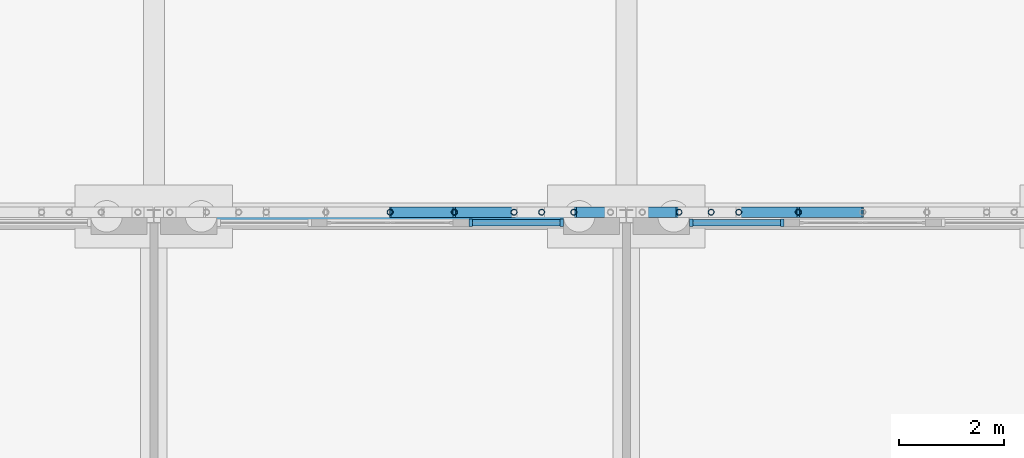
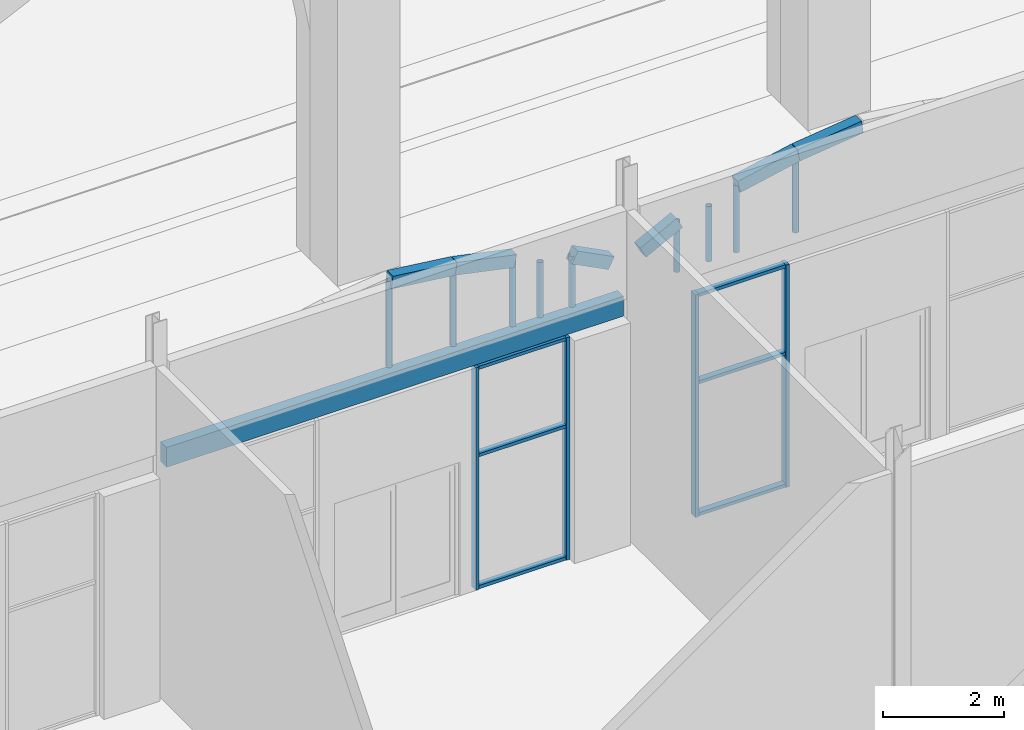
# One storey, part 58 of 250: 19 members, 7 beams, 2 elements without a shape of their own.
"""IFC4 building model written with IfcOpenShell, lengths in metres."""

from ifc_helpers import new_model, si_unit, direction, frame, origin, origin_2d, place, context, subcontext, project, spatial, rectangle, hollow_circle, extrude, material, material_profile, profile_set, type_object, element, aggregate, save


model = new_model("IFC4")

# Units and contexts
model_context = context("Model", 3, precision=1e-05, world=origin(), true_north=direction((0.0, 1.0)))
body_context = subcontext(model_context, "Body", "Model", "MODEL_VIEW")
ifc_project = project(units=[si_unit("LENGTHUNIT", "METRE"), si_unit("AREAUNIT", "SQUARE_METRE"), si_unit("VOLUMEUNIT", "CUBIC_METRE"), si_unit("PLANEANGLEUNIT", "RADIAN"), si_unit("MASSUNIT", "GRAM", prefix="KILO")], contexts=[model_context])

# Site, building, storey
site_placement = place(None, origin())
site = spatial("IfcSite", under=ifc_project, at=site_placement, CompositionType="ELEMENT")
building_placement = place(site_placement, origin())
building = spatial("IfcBuilding", under=site, at=building_placement, Name="Baradari Gate Terminus", CompositionType="ELEMENT")
storey_placement = place(building_placement, origin())
storey = spatial("IfcBuildingStorey", under=building, at=storey_placement, Name="L00", CompositionType="ELEMENT", Elevation=0.0)

# Members
ifc_material_1 = material(Name="Steel S355", Category="steel")
ifc_material_profile_1 = material_profile(ifc_material_1, hollow_circle(Radius=0.05712890625, WallThickness=0.00634765625, at=origin_2d()), Name="CHS 114.3x6.3")
ifc_profile_set_1 = profile_set([ifc_material_profile_1], Name="Steel S355")
member_type_1 = type_object("IfcMemberType", Name="Arcade arch post SP-2 114x6.3", PredefinedType="POST", material=ifc_profile_set_1)
member_1_placement = place(storey_placement, frame((202.5, 108.07861328125, 4.89990234375), z_axis=(0.0, 0.0, 1.0), x_axis=(1.0, 0.0, 0.0)))
element("IfcMember", 1, at=member_1_placement, inside=storey, type_object=member_type_1, Name="Arcade arch post 22.7", PredefinedType="POST", context=body_context, shape_type="SweptSolid", body=[
    extrude(hollow_circle(Radius=0.05712890625, WallThickness=0.00634765625, at=origin_2d()), origin(), (0.0, 0.0, 1.0), 1.7421875),
])
member_2_placement = place(storey_placement, frame((203.72412109375, 108.07861328125, 4.89990234375), z_axis=(0.0, 0.0, 1.0), x_axis=(1.0, 0.0, 0.0)))
element("IfcMember", 2, at=member_2_placement, inside=storey, type_object=member_type_1, Name="Arcade arch post 22.8", PredefinedType="POST", context=body_context, shape_type="SweptSolid", body=[
    extrude(hollow_circle(Radius=0.05712890625, WallThickness=0.00634765625, at=origin_2d()), origin(), (0.0, 0.0, 1.0), 1.593017578125),
])
member_3_placement = place(storey_placement, frame((204.86083984375, 108.07861328125, 4.89990234375), z_axis=(0.0, 0.0, 1.0), x_axis=(1.0, 0.0, 0.0)))
element("IfcMember", 3, at=member_3_placement, inside=storey, type_object=member_type_1, Name="Arcade arch post 22.9", PredefinedType="POST", context=body_context, shape_type="SweptSolid", body=[
    extrude(hollow_circle(Radius=0.05712890625, WallThickness=0.00634765625, at=origin_2d()), origin(), (0.0, 0.0, 1.0), 1.354248046875),
])
member_4_placement = place(storey_placement, frame((205.385498046875, 108.07861328125, 4.89990234375), z_axis=(0.0, 0.0, 1.0), x_axis=(1.0, 0.0, 0.0)))
element("IfcMember", 4, at=member_4_placement, inside=storey, type_object=member_type_1, Name="Arcade arch post 22.10", PredefinedType="POST", context=body_context, shape_type="SweptSolid", body=[
    extrude(hollow_circle(Radius=0.05712890625, WallThickness=0.00634765625, at=origin_2d()), origin(), (0.0, 0.0, 1.0), 1.115478515625),
])
for number, where, z_axis, x_axis, name in (
    (5, (205.99755859375, 108.07861328125, 4.89990234375), (0.0, 0.0, 1.0), (1.0, 0.0, 0.0), "Arcade arch post 22.11"),
    (6, (208.00244140625, 108.07861328125, 4.89990234375), (0.0, 0.0, 1.0), (1.0, 0.0, 0.0), "Arcade arch post 23.3"),
):
    element("IfcMember", number, at=place(storey_placement, frame(where, z_axis=z_axis, x_axis=x_axis)), inside=storey, type_object=member_type_1, Name=name, PredefinedType="POST", context=body_context, shape_type="SweptSolid", body=[
        extrude(hollow_circle(Radius=0.05712890625, WallThickness=0.00634765625, at=origin_2d()), origin(), (0.0, 0.0, 1.0), 1.02587890625),
    ])
member_5_placement = place(storey_placement, frame((208.614501953125, 108.07861328125, 4.89990234375), z_axis=(0.0, 0.0, 1.0), x_axis=(1.0, 0.0, 0.0)))
element("IfcMember", 7, at=member_5_placement, inside=storey, type_object=member_type_1, Name="Arcade arch post 23.4", PredefinedType="POST", context=body_context, shape_type="SweptSolid", body=[
    extrude(hollow_circle(Radius=0.05712890625, WallThickness=0.00634765625, at=origin_2d()), origin(), (0.0, 0.0, 1.0), 1.115478515625),
])
member_6_placement = place(storey_placement, frame((209.13916015625, 108.07861328125, 4.89990234375), z_axis=(0.0, 0.0, 1.0), x_axis=(1.0, 0.0, 0.0)))
element("IfcMember", 8, at=member_6_placement, inside=storey, type_object=member_type_1, Name="Arcade arch post 23.5", PredefinedType="POST", context=body_context, shape_type="SweptSolid", body=[
    extrude(hollow_circle(Radius=0.05712890625, WallThickness=0.00634765625, at=origin_2d()), origin(), (0.0, 0.0, 1.0), 1.354248046875),
])
member_7_placement = place(storey_placement, frame((210.27587890625, 108.07861328125, 4.89990234375), z_axis=(0.0, 0.0, 1.0), x_axis=(1.0, 0.0, 0.0)))
element("IfcMember", 9, at=member_7_placement, inside=storey, type_object=member_type_1, Name="Arcade arch post 23.6", PredefinedType="POST", context=body_context, shape_type="SweptSolid", body=[
    extrude(hollow_circle(Radius=0.05712890625, WallThickness=0.00634765625, at=origin_2d()), origin(), (0.0, 0.0, 1.0), 1.593017578125),
])

# Beams
ifc_material_2 = material(Name="Concrete C40/50 precast", Category="concrete")
ifc_material_profile_2 = material_profile(ifc_material_2, rectangle(XDim=0.199951171875, YDim=0.25, at=origin_2d()), Name="AB-1 200X250")
ifc_profile_set_2 = profile_set([ifc_material_profile_2], Name="Concrete C40/50 precast")
beam_type_1 = type_object("IfcBeamType", Name="Arcade arch segment AB-1 200x250", PredefinedType="BEAM", material=ifc_profile_set_2)
beam_1_placement = place(storey_placement, frame((202.5, 108.07861328125, 6.64208984375), z_axis=(0.992656897947, 0.0, -0.120963973802), x_axis=(0.0, 1.0, 0.0)))
element("IfcBeam", 10, at=beam_1_placement, inside=storey, type_object=beam_type_1, Name="Arcade arch AB-1 bay 22 segment 7", PredefinedType="BEAM", context=body_context, shape_type="SweptSolid", body=[
    extrude(rectangle(XDim=0.199951171875, YDim=0.25, at=origin_2d()), origin(), (0.0, 0.0, 1.0), 1.233154296875),
])
beam_2_placement = place(storey_placement, frame((203.72412109375, 108.07861328125, 6.492919921875), z_axis=(0.978643349291, 0.0, -0.205565548885), x_axis=(0.0, 1.0, 0.0)))
element("IfcBeam", 11, at=beam_2_placement, inside=storey, type_object=beam_type_1, Name="Arcade arch AB-1 bay 22 segment 8", PredefinedType="BEAM", context=body_context, shape_type="SweptSolid", body=[
    extrude(rectangle(XDim=0.199951171875, YDim=0.25, at=origin_2d()), origin(), (0.0, 0.0, 1.0), 1.16162109375),
])
for number, where, z_axis, x_axis, name in (
    (12, (205.99755859375, 108.07861328125, 5.92578125), (0.89022472097, 0.0, -0.455521619875), (0.0, 1.0, 0.0), "Arcade arch AB-1 bay 22 segment 11"),
    (13, (207.302978515625, 108.07861328125, 5.56787109375), (0.89022472097, 0.0, 0.455521619875), (0.0, 1.0, 0.0), "Arcade arch AB-1 bay 23 segment 2"),
):
    element("IfcBeam", number, at=place(storey_placement, frame(where, z_axis=z_axis, x_axis=x_axis)), inside=storey, type_object=beam_type_1, Name=name, PredefinedType="BEAM", context=body_context, shape_type="SweptSolid", body=[
        extrude(rectangle(XDim=0.199951171875, YDim=0.25, at=origin_2d()), origin(), (0.0, 0.0, 1.0), 0.78564453125),
    ])
beam_3_placement = place(storey_placement, frame((209.13916015625, 108.07861328125, 6.254150390625), z_axis=(0.978643349291, 0.0, 0.205565548885), x_axis=(0.0, 1.0, 0.0)))
element("IfcBeam", 14, at=beam_3_placement, inside=storey, type_object=beam_type_1, Name="Arcade arch AB-1 bay 23 segment 5", PredefinedType="BEAM", context=body_context, shape_type="SweptSolid", body=[
    extrude(rectangle(XDim=0.199951171875, YDim=0.25, at=origin_2d()), origin(), (0.0, 0.0, 1.0), 1.16162109375),
])
beam_4_placement = place(storey_placement, frame((210.27587890625, 108.07861328125, 6.492919921875), z_axis=(0.992656897947, 0.0, 0.120963973802), x_axis=(0.0, 1.0, 0.0)))
element("IfcBeam", 15, at=beam_4_placement, inside=storey, type_object=beam_type_1, Name="Arcade arch AB-1 bay 23 segment 6", PredefinedType="BEAM", context=body_context, shape_type="SweptSolid", body=[
    extrude(rectangle(XDim=0.199951171875, YDim=0.25, at=origin_2d()), origin(), (0.0, 0.0, 1.0), 1.233154296875),
])
ifc_material_3 = material(Name="Concrete C50/60 precast", Category="concrete")
ifc_material_profile_3 = material_profile(ifc_material_3, rectangle(XDim=0.199951171875, YDim=0.39990234375, at=origin_2d()), Name="LB-1 200X400")
ifc_profile_set_3 = profile_set([ifc_material_profile_3], Name="Concrete C50/60 precast")
beam_type_2 = type_object("IfcBeamType", Name="Arcade lintel LB-1 200x400", PredefinedType="LINTEL", material=ifc_profile_set_3)
beam_5_placement = place(storey_placement, frame((198.128173828125, 107.978515625, 4.699951171875), z_axis=(1.0, 0.0, 0.0), x_axis=(0.0, 1.0, 0.0)))
element("IfcBeam", 16, at=beam_5_placement, inside=storey, type_object=beam_type_2, Name="Arcade lintel LB-1 bay 22", PredefinedType="LINTEL", context=body_context, shape_type="SweptSolid", body=[
    extrude(rectangle(XDim=0.199951171875, YDim=0.39990234375, at=origin_2d()), origin(), (0.0, 0.0, 1.0), 8.74365234375),
])

# Curtain wall, members
ifc_material_4 = material(Name="Aluminium 6063-T6", Category="aluminium")
curtain_wall_type = type_object("IfcCurtainWallType", Name="Curtain wall CW-2 shopfront", PredefinedType="NOTDEFINED", material=ifc_material_4)
curtain_wall_1_placement = place(storey_placement, origin())
curtain_wall_1 = element("IfcCurtainWall", 17, at=curtain_wall_1_placement, inside=storey, type_object=curtain_wall_type, Name="Shopfront curtain wall CW-2 HN bay 22 L00", PredefinedType="NOTDEFINED")
ifc_material_5 = material(Name="Aluminium 6063-T6", Category="aluminium")
ifc_material_profile_4 = material_profile(ifc_material_5, rectangle(XDim=0.14990234375, YDim=0.06494140625, at=origin_2d()), Name="CM-2 65X150")
ifc_profile_set_4 = profile_set([ifc_material_profile_4], Name="Aluminium 6063-T6")
member_type_2 = type_object("IfcMemberType", Name="Curtain wall mullion CM-2 65x150", PredefinedType="MULLION", material=ifc_profile_set_4)
member_8_placement = place(storey_placement, frame((204.032470703125, 107.87841796875, 0.0), z_axis=(0.0, 0.0, 1.0), x_axis=(0.0, 1.0, 0.0)))
member_8 = element("IfcMember", 18, at=member_8_placement, type_object=member_type_2, Name="CW-2 mullion 1", PredefinedType="MULLION", context=body_context, shape_type="SweptSolid", body=[
    extrude(rectangle(XDim=0.14990234375, YDim=0.06494140625, at=origin_2d()), origin(), (0.0, 0.0, 1.0), 4.5),
])
member_9_placement = place(storey_placement, frame((205.767578125, 107.87841796875, 0.0), z_axis=(0.0, 0.0, 1.0), x_axis=(0.0, 1.0, 0.0)))
member_9 = element("IfcMember", 19, at=member_9_placement, type_object=member_type_2, Name="CW-2 mullion 2", PredefinedType="MULLION", context=body_context, shape_type="SweptSolid", body=[
    extrude(rectangle(XDim=0.14990234375, YDim=0.06494140625, at=origin_2d()), origin(), (0.0, 0.0, 1.0), 4.5),
])

curtain_wall_2_placement = place(storey_placement, origin())
curtain_wall_2 = element("IfcCurtainWall", 20, at=curtain_wall_2_placement, inside=storey, type_object=curtain_wall_type, Name="Shopfront curtain wall CW-2 HN bay 23 L00", PredefinedType="NOTDEFINED")
member_10_placement = place(storey_placement, frame((208.232421875, 107.87841796875, 0.0), z_axis=(0.0, 0.0, 1.0), x_axis=(0.0, 1.0, 0.0)))
member_10 = element("IfcMember", 21, at=member_10_placement, type_object=member_type_2, Name="CW-2 mullion 1", PredefinedType="MULLION", context=body_context, shape_type="SweptSolid", body=[
    extrude(rectangle(XDim=0.14990234375, YDim=0.06494140625, at=origin_2d()), origin(), (0.0, 0.0, 1.0), 4.5),
])
member_11_placement = place(storey_placement, frame((209.967529296875, 107.87841796875, 0.0), z_axis=(0.0, 0.0, 1.0), x_axis=(0.0, 1.0, 0.0)))
member_11 = element("IfcMember", 22, at=member_11_placement, type_object=member_type_2, Name="CW-2 mullion 2", PredefinedType="MULLION", context=body_context, shape_type="SweptSolid", body=[
    extrude(rectangle(XDim=0.14990234375, YDim=0.06494140625, at=origin_2d()), origin(), (0.0, 0.0, 1.0), 4.5),
])

# Member
ifc_material_6 = material(Name="Aluminium 6063-T6", Category="aluminium")
ifc_material_profile_5 = material_profile(ifc_material_6, rectangle(XDim=0.1201171875, YDim=0.06494140625, at=origin_2d()), Name="CT-2 65X120")
ifc_profile_set_5 = profile_set([ifc_material_profile_5], Name="Aluminium 6063-T6")
member_type_3 = type_object("IfcMemberType", Name="Curtain wall transom CT-2 65x120", PredefinedType="USERDEFINED", material=ifc_profile_set_5)
member_12_placement = place(storey_placement, frame((204.06494140625, 107.87841796875, 0.032470703125), z_axis=(1.0, 0.0, 0.0), x_axis=(0.0, 1.0, 0.0)))
member_12 = element("IfcMember", 23, at=member_12_placement, type_object=member_type_3, Name="CW-2 transom 1.1", ObjectType="TRANSOM", PredefinedType="USERDEFINED", context=body_context, shape_type="SweptSolid", body=[
    extrude(rectangle(XDim=0.1201171875, YDim=0.06494140625, at=origin_2d()), origin(), (0.0, 0.0, 1.0), 1.670166015625),
])

member_13_placement = place(storey_placement, frame((204.06494140625, 107.87841796875, 2.699951171875), z_axis=(1.0, 0.0, 0.0), x_axis=(0.0, 1.0, 0.0)))
member_13 = element("IfcMember", 24, at=member_13_placement, type_object=member_type_3, Name="CW-2 transom 1.2", ObjectType="TRANSOM", PredefinedType="USERDEFINED", context=body_context, shape_type="SweptSolid", body=[
    extrude(rectangle(XDim=0.1201171875, YDim=0.06494140625, at=origin_2d()), origin(), (0.0, 0.0, 1.0), 1.670166015625),
])

member_14_placement = place(storey_placement, frame((204.06494140625, 107.87841796875, 4.467529296875), z_axis=(1.0, 0.0, 0.0), x_axis=(0.0, 1.0, 0.0)))
member_14 = element("IfcMember", 25, at=member_14_placement, type_object=member_type_3, Name="CW-2 transom 1.3", ObjectType="TRANSOM", PredefinedType="USERDEFINED", context=body_context, shape_type="SweptSolid", body=[
    extrude(rectangle(XDim=0.1201171875, YDim=0.06494140625, at=origin_2d()), origin(), (0.0, 0.0, 1.0), 1.670166015625),
])

aggregate(curtain_wall_1, [member_8, member_9, member_12, member_13, member_14])

member_15_placement = place(storey_placement, frame((208.264892578125, 107.87841796875, 0.032470703125), z_axis=(1.0, 0.0, 0.0), x_axis=(0.0, 1.0, 0.0)))
member_15 = element("IfcMember", 26, at=member_15_placement, type_object=member_type_3, Name="CW-2 transom 1.1", ObjectType="TRANSOM", PredefinedType="USERDEFINED", context=body_context, shape_type="SweptSolid", body=[
    extrude(rectangle(XDim=0.1201171875, YDim=0.06494140625, at=origin_2d()), origin(), (0.0, 0.0, 1.0), 1.670166015625),
])

member_16_placement = place(storey_placement, frame((208.264892578125, 107.87841796875, 2.699951171875), z_axis=(1.0, 0.0, 0.0), x_axis=(0.0, 1.0, 0.0)))
member_16 = element("IfcMember", 27, at=member_16_placement, type_object=member_type_3, Name="CW-2 transom 1.2", ObjectType="TRANSOM", PredefinedType="USERDEFINED", context=body_context, shape_type="SweptSolid", body=[
    extrude(rectangle(XDim=0.1201171875, YDim=0.06494140625, at=origin_2d()), origin(), (0.0, 0.0, 1.0), 1.670166015625),
])

member_17_placement = place(storey_placement, frame((208.264892578125, 107.87841796875, 4.467529296875), z_axis=(1.0, 0.0, 0.0), x_axis=(0.0, 1.0, 0.0)))
member_17 = element("IfcMember", 28, at=member_17_placement, type_object=member_type_3, Name="CW-2 transom 1.3", ObjectType="TRANSOM", PredefinedType="USERDEFINED", context=body_context, shape_type="SweptSolid", body=[
    extrude(rectangle(XDim=0.1201171875, YDim=0.06494140625, at=origin_2d()), origin(), (0.0, 0.0, 1.0), 1.670166015625),
])

aggregate(curtain_wall_2, [member_10, member_11, member_15, member_16, member_17])

save(model, "model.ifc")
